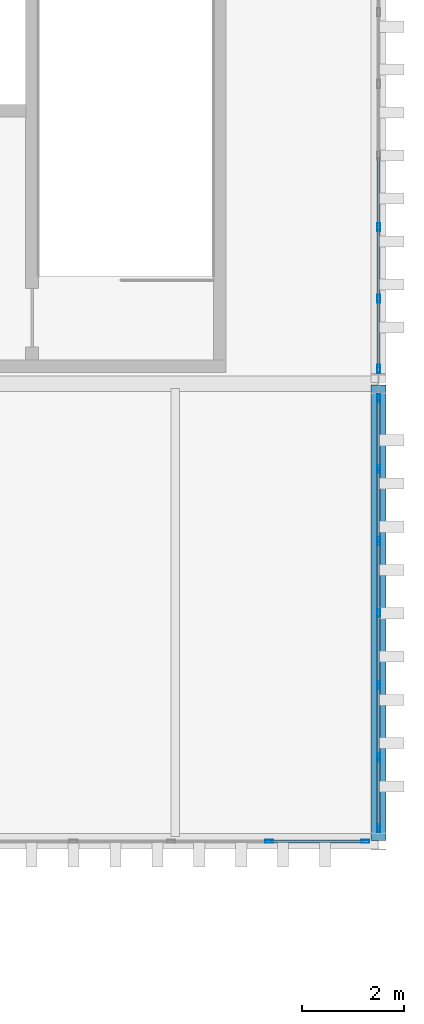
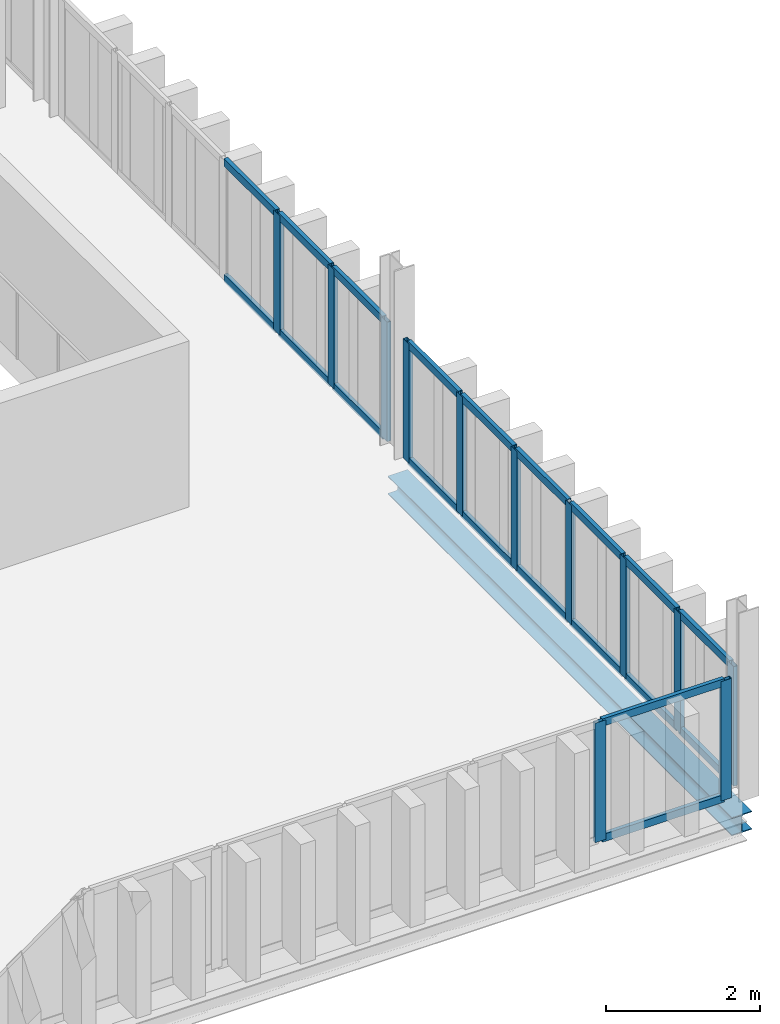
# One storey, part 21 of 58: 32 members, 1 beam, 3 elements without a shape of their own.
"""IFC4 building model written with IfcOpenShell, lengths in metres."""

from ifc_helpers import new_model, si_unit, direction, frame, origin, origin_2d, place, context, subcontext, project, spatial, hollow_rectangle, i_section, extrude, material, layer, layer_set, material_profile, profile_set, type_object, element, aggregate, save


model = new_model("IFC4")

# Units and contexts
model_context = context("Model", 3, precision=1e-05, world=origin(), true_north=direction((0.0, 1.0)))
body_context = subcontext(model_context, "Body", "Model", "MODEL_VIEW")
ifc_project = project(units=[si_unit("LENGTHUNIT", "METRE"), si_unit("AREAUNIT", "SQUARE_METRE"), si_unit("VOLUMEUNIT", "CUBIC_METRE"), si_unit("PLANEANGLEUNIT", "RADIAN"), si_unit("MASSUNIT", "GRAM", prefix="KILO")], contexts=[model_context])

# Site, building, storey
site_placement = place(None, origin())
site = spatial("IfcSite", under=ifc_project, at=site_placement, CompositionType="ELEMENT")
building_placement = place(site_placement, origin())
building = spatial("IfcBuilding", under=site, at=building_placement, Name="Barlavento Convention Centre", CompositionType="ELEMENT")
storey_placement = place(building_placement, frame((0.0, 0.0, 26.800048828125)))
storey = spatial("IfcBuildingStorey", under=building, at=storey_placement, Name="L05", CompositionType="ELEMENT", Elevation=26.800048828125)

# Curtain wall, members
ifc_material_1 = material(Name="Powder-coated aluminium and Low-E glass", Category="aluminium")
ifc_layer = layer(ifc_material_1, 0.18994140625)
ifc_layer_set = layer_set([ifc_layer], Name="ARC-CW-CONF-L05")
curtain_wall_type = type_object("IfcCurtainWallType", Name="ARC-CW-CONF-L05", PredefinedType="NOTDEFINED", material=ifc_layer_set)
curtain_wall_1_placement = place(storey_placement, origin())
curtain_wall_1 = element("IfcCurtainWall", 1, at=curtain_wall_1_placement, inside=storey, type_object=curtain_wall_type, Name="L05 unitised curtain wall CW10", PredefinedType="NOTDEFINED")
ifc_material_2 = material(Name="Powder-coated aluminium", Category="aluminium")
ifc_material_profile_1 = material_profile(ifc_material_2, hollow_rectangle(XDim=0.06005859375, YDim=0.159912109375, WallThickness=0.00390625, at=origin_2d()), Name="AL-MULL 60x160x4")
ifc_profile_set_1 = profile_set([ifc_material_profile_1], Name="Powder-coated aluminium")
member_type_1 = type_object("IfcMemberType", Name="ARC-CWM-60X160", PredefinedType="MULLION", material=ifc_profile_set_1)
member_1_placement = place(storey_placement, frame((192.0, 27.260009765625, 0.0), z_axis=(0.0, 0.0, 1.0), x_axis=(-1.0, 0.0, 0.0)))
member_1 = element("IfcMember", 2, at=member_1_placement, type_object=member_type_1, Name="CW10 mullion 1", PredefinedType="MULLION", context=body_context, shape_type="SweptSolid", body=[
    extrude(hollow_rectangle(XDim=0.06005859375, YDim=0.159912109375, WallThickness=0.00390625, at=origin_2d()), origin(), (0.0, 0.0, 1.0), 1.89990234375),
])
member_2_placement = place(storey_placement, frame((192.0, 28.6484375, 0.0), z_axis=(0.0, 0.0, 1.0), x_axis=(-1.0, 0.0, 0.0)))
member_2 = element("IfcMember", 3, at=member_2_placement, type_object=member_type_1, Name="CW10 mullion 2", PredefinedType="MULLION", context=body_context, shape_type="SweptSolid", body=[
    extrude(hollow_rectangle(XDim=0.06005859375, YDim=0.159912109375, WallThickness=0.00390625, at=origin_2d()), origin(), (0.0, 0.0, 1.0), 1.89990234375),
])
member_3_placement = place(storey_placement, frame((192.0, 30.066650390625, 0.0), z_axis=(0.0, 0.0, 1.0), x_axis=(-1.0, 0.0, 0.0)))
member_3 = element("IfcMember", 4, at=member_3_placement, type_object=member_type_1, Name="CW10 mullion 3", PredefinedType="MULLION", context=body_context, shape_type="SweptSolid", body=[
    extrude(hollow_rectangle(XDim=0.06005859375, YDim=0.159912109375, WallThickness=0.00390625, at=origin_2d()), origin(), (0.0, 0.0, 1.0), 1.89990234375),
])
member_4_placement = place(storey_placement, frame((192.0, 31.485107421875, 0.0), z_axis=(0.0, 0.0, 1.0), x_axis=(-1.0, 0.0, 0.0)))
member_4 = element("IfcMember", 5, at=member_4_placement, type_object=member_type_1, Name="CW10 mullion 4", PredefinedType="MULLION", context=body_context, shape_type="SweptSolid", body=[
    extrude(hollow_rectangle(XDim=0.06005859375, YDim=0.159912109375, WallThickness=0.00390625, at=origin_2d()), origin(), (0.0, 0.0, 1.0), 1.89990234375),
])
member_5_placement = place(storey_placement, frame((192.0, 32.9033203125, 0.0), z_axis=(0.0, 0.0, 1.0), x_axis=(-1.0, 0.0, 0.0)))
member_5 = element("IfcMember", 6, at=member_5_placement, type_object=member_type_1, Name="CW10 mullion 5", PredefinedType="MULLION", context=body_context, shape_type="SweptSolid", body=[
    extrude(hollow_rectangle(XDim=0.06005859375, YDim=0.159912109375, WallThickness=0.00390625, at=origin_2d()), origin(), (0.0, 0.0, 1.0), 1.89990234375),
])
member_6_placement = place(storey_placement, frame((192.0, 34.32177734375, 0.0), z_axis=(0.0, 0.0, 1.0), x_axis=(-1.0, 0.0, 0.0)))
member_6 = element("IfcMember", 7, at=member_6_placement, type_object=member_type_1, Name="CW10 mullion 6", PredefinedType="MULLION", context=body_context, shape_type="SweptSolid", body=[
    extrude(hollow_rectangle(XDim=0.06005859375, YDim=0.159912109375, WallThickness=0.00390625, at=origin_2d()), origin(), (0.0, 0.0, 1.0), 1.89990234375),
])
member_7_placement = place(storey_placement, frame((192.0, 35.7099609375, 0.0), z_axis=(0.0, 0.0, 1.0), x_axis=(-1.0, 0.0, 0.0)))
member_7 = element("IfcMember", 8, at=member_7_placement, type_object=member_type_1, Name="CW10 mullion 7", PredefinedType="MULLION", context=body_context, shape_type="SweptSolid", body=[
    extrude(hollow_rectangle(XDim=0.06005859375, YDim=0.159912109375, WallThickness=0.00390625, at=origin_2d()), origin(), (0.0, 0.0, 1.0), 1.89990234375),
])

curtain_wall_2_placement = place(storey_placement, origin())
curtain_wall_2 = element("IfcCurtainWall", 9, at=curtain_wall_2_placement, inside=storey, type_object=curtain_wall_type, Name="L05 unitised curtain wall CW10", PredefinedType="NOTDEFINED")
member_8_placement = place(storey_placement, frame((192.0, 36.2900390625, 0.0), z_axis=(0.0, 0.0, 1.0), x_axis=(-1.0, 0.0, 0.0)))
member_8 = element("IfcMember", 10, at=member_8_placement, type_object=member_type_1, Name="CW10 mullion 1", PredefinedType="MULLION", context=body_context, shape_type="SweptSolid", body=[
    extrude(hollow_rectangle(XDim=0.06005859375, YDim=0.159912109375, WallThickness=0.00390625, at=origin_2d()), origin(), (0.0, 0.0, 1.0), 1.89990234375),
])
member_9_placement = place(storey_placement, frame((192.0, 37.669189453125, 0.0), z_axis=(0.0, 0.0, 1.0), x_axis=(-1.0, 0.0, 0.0)))
member_9 = element("IfcMember", 11, at=member_9_placement, type_object=member_type_1, Name="CW10 mullion 2", PredefinedType="MULLION", context=body_context, shape_type="SweptSolid", body=[
    extrude(hollow_rectangle(XDim=0.06005859375, YDim=0.159912109375, WallThickness=0.00390625, at=origin_2d()), origin(), (0.0, 0.0, 1.0), 1.89990234375),
])
member_10_placement = place(storey_placement, frame((192.0, 39.078369140625, 0.0), z_axis=(0.0, 0.0, 1.0), x_axis=(-1.0, 0.0, 0.0)))
member_10 = element("IfcMember", 12, at=member_10_placement, type_object=member_type_1, Name="CW10 mullion 3", PredefinedType="MULLION", context=body_context, shape_type="SweptSolid", body=[
    extrude(hollow_rectangle(XDim=0.06005859375, YDim=0.159912109375, WallThickness=0.00390625, at=origin_2d()), origin(), (0.0, 0.0, 1.0), 1.89990234375),
])

curtain_wall_3_placement = place(storey_placement, origin())
curtain_wall_3 = element("IfcCurtainWall", 13, at=curtain_wall_3_placement, inside=storey, type_object=curtain_wall_type, Name="L05 unitised curtain wall CW10", PredefinedType="NOTDEFINED")
member_11_placement = place(storey_placement, frame((189.8466796875, 27.0, 0.0), z_axis=(0.0, 0.0, 1.0), x_axis=(0.0, 1.0, 0.0)))
member_11 = element("IfcMember", 14, at=member_11_placement, type_object=member_type_1, Name="CW10 mullion 6", PredefinedType="MULLION", context=body_context, shape_type="SweptSolid", body=[
    extrude(hollow_rectangle(XDim=0.06005859375, YDim=0.159912109375, WallThickness=0.00390625, at=origin_2d()), origin(), (0.0, 0.0, 1.0), 1.89990234375),
])
member_12_placement = place(storey_placement, frame((191.739990234375, 27.0, 0.0), z_axis=(0.0, 0.0, 1.0), x_axis=(0.0, 1.0, 0.0)))
member_12 = element("IfcMember", 15, at=member_12_placement, type_object=member_type_1, Name="CW10 mullion 7", PredefinedType="MULLION", context=body_context, shape_type="SweptSolid", body=[
    extrude(hollow_rectangle(XDim=0.06005859375, YDim=0.159912109375, WallThickness=0.00390625, at=origin_2d()), origin(), (0.0, 0.0, 1.0), 1.89990234375),
])

# Member
ifc_material_profile_2 = material_profile(ifc_material_2, hollow_rectangle(XDim=0.06005859375, YDim=0.1201171875, WallThickness=0.00390625, at=origin_2d()), Name="AL-TRAN 60x120x4")
ifc_profile_set_2 = profile_set([ifc_material_profile_2], Name="Powder-coated aluminium")
member_type_2 = type_object("IfcMemberType", Name="ARC-CWT-60X120", PredefinedType="USERDEFINED", material=ifc_profile_set_2)
member_13_placement = place(storey_placement, frame((192.0, 27.2900390625, 0.030029296875), z_axis=(0.0, 1.0, 0.0), x_axis=(-1.0, 0.0, 0.0)))
member_13 = element("IfcMember", 16, at=member_13_placement, type_object=member_type_2, Name="CW10 transom 1.1", ObjectType="TRANSOM", PredefinedType="USERDEFINED", context=body_context, shape_type="SweptSolid", body=[
    extrude(hollow_rectangle(XDim=0.06005859375, YDim=0.1201171875, WallThickness=0.00390625, at=origin_2d()), origin(), (0.0, 0.0, 1.0), 1.328369140625),
])

member_14_placement = place(storey_placement, frame((192.0, 27.2900390625, 1.869873046875), z_axis=(0.0, 1.0, 0.0), x_axis=(-1.0, 0.0, 0.0)))
member_14 = element("IfcMember", 17, at=member_14_placement, type_object=member_type_2, Name="CW10 transom 1.2", ObjectType="TRANSOM", PredefinedType="USERDEFINED", context=body_context, shape_type="SweptSolid", body=[
    extrude(hollow_rectangle(XDim=0.06005859375, YDim=0.1201171875, WallThickness=0.00390625, at=origin_2d()), origin(), (0.0, 0.0, 1.0), 1.328369140625),
])

member_15_placement = place(storey_placement, frame((192.0, 28.67822265625, 0.030029296875), z_axis=(0.0, 1.0, 0.0), x_axis=(-1.0, 0.0, 0.0)))
member_15 = element("IfcMember", 18, at=member_15_placement, type_object=member_type_2, Name="CW10 transom 2.1", ObjectType="TRANSOM", PredefinedType="USERDEFINED", context=body_context, shape_type="SweptSolid", body=[
    extrude(hollow_rectangle(XDim=0.06005859375, YDim=0.1201171875, WallThickness=0.00390625, at=origin_2d()), origin(), (0.0, 0.0, 1.0), 1.3583984375),
])

member_16_placement = place(storey_placement, frame((192.0, 28.67822265625, 1.869873046875), z_axis=(0.0, 1.0, 0.0), x_axis=(-1.0, 0.0, 0.0)))
member_16 = element("IfcMember", 19, at=member_16_placement, type_object=member_type_2, Name="CW10 transom 2.2", ObjectType="TRANSOM", PredefinedType="USERDEFINED", context=body_context, shape_type="SweptSolid", body=[
    extrude(hollow_rectangle(XDim=0.06005859375, YDim=0.1201171875, WallThickness=0.00390625, at=origin_2d()), origin(), (0.0, 0.0, 1.0), 1.3583984375),
])

member_17_placement = place(storey_placement, frame((192.0, 30.0966796875, 0.030029296875), z_axis=(0.0, 1.0, 0.0), x_axis=(-1.0, 0.0, 0.0)))
member_17 = element("IfcMember", 20, at=member_17_placement, type_object=member_type_2, Name="CW10 transom 3.1", ObjectType="TRANSOM", PredefinedType="USERDEFINED", context=body_context, shape_type="SweptSolid", body=[
    extrude(hollow_rectangle(XDim=0.06005859375, YDim=0.1201171875, WallThickness=0.00390625, at=origin_2d()), origin(), (0.0, 0.0, 1.0), 1.3583984375),
])

member_18_placement = place(storey_placement, frame((192.0, 30.0966796875, 1.869873046875), z_axis=(0.0, 1.0, 0.0), x_axis=(-1.0, 0.0, 0.0)))
member_18 = element("IfcMember", 21, at=member_18_placement, type_object=member_type_2, Name="CW10 transom 3.2", ObjectType="TRANSOM", PredefinedType="USERDEFINED", context=body_context, shape_type="SweptSolid", body=[
    extrude(hollow_rectangle(XDim=0.06005859375, YDim=0.1201171875, WallThickness=0.00390625, at=origin_2d()), origin(), (0.0, 0.0, 1.0), 1.3583984375),
])

member_19_placement = place(storey_placement, frame((192.0, 31.514892578125, 0.030029296875), z_axis=(0.0, 1.0, 0.0), x_axis=(-1.0, 0.0, 0.0)))
member_19 = element("IfcMember", 22, at=member_19_placement, type_object=member_type_2, Name="CW10 transom 4.1", ObjectType="TRANSOM", PredefinedType="USERDEFINED", context=body_context, shape_type="SweptSolid", body=[
    extrude(hollow_rectangle(XDim=0.06005859375, YDim=0.1201171875, WallThickness=0.00390625, at=origin_2d()), origin(), (0.0, 0.0, 1.0), 1.3583984375),
])

member_20_placement = place(storey_placement, frame((192.0, 31.514892578125, 1.869873046875), z_axis=(0.0, 1.0, 0.0), x_axis=(-1.0, 0.0, 0.0)))
member_20 = element("IfcMember", 23, at=member_20_placement, type_object=member_type_2, Name="CW10 transom 4.2", ObjectType="TRANSOM", PredefinedType="USERDEFINED", context=body_context, shape_type="SweptSolid", body=[
    extrude(hollow_rectangle(XDim=0.06005859375, YDim=0.1201171875, WallThickness=0.00390625, at=origin_2d()), origin(), (0.0, 0.0, 1.0), 1.3583984375),
])

member_21_placement = place(storey_placement, frame((192.0, 32.933349609375, 0.030029296875), z_axis=(0.0, 1.0, 0.0), x_axis=(-1.0, 0.0, 0.0)))
member_21 = element("IfcMember", 24, at=member_21_placement, type_object=member_type_2, Name="CW10 transom 5.1", ObjectType="TRANSOM", PredefinedType="USERDEFINED", context=body_context, shape_type="SweptSolid", body=[
    extrude(hollow_rectangle(XDim=0.06005859375, YDim=0.1201171875, WallThickness=0.00390625, at=origin_2d()), origin(), (0.0, 0.0, 1.0), 1.3583984375),
])

member_22_placement = place(storey_placement, frame((192.0, 32.933349609375, 1.869873046875), z_axis=(0.0, 1.0, 0.0), x_axis=(-1.0, 0.0, 0.0)))
member_22 = element("IfcMember", 25, at=member_22_placement, type_object=member_type_2, Name="CW10 transom 5.2", ObjectType="TRANSOM", PredefinedType="USERDEFINED", context=body_context, shape_type="SweptSolid", body=[
    extrude(hollow_rectangle(XDim=0.06005859375, YDim=0.1201171875, WallThickness=0.00390625, at=origin_2d()), origin(), (0.0, 0.0, 1.0), 1.3583984375),
])

member_23_placement = place(storey_placement, frame((192.0, 34.3515625, 0.030029296875), z_axis=(0.0, 1.0, 0.0), x_axis=(-1.0, 0.0, 0.0)))
member_23 = element("IfcMember", 26, at=member_23_placement, type_object=member_type_2, Name="CW10 transom 6.1", ObjectType="TRANSOM", PredefinedType="USERDEFINED", context=body_context, shape_type="SweptSolid", body=[
    extrude(hollow_rectangle(XDim=0.06005859375, YDim=0.1201171875, WallThickness=0.00390625, at=origin_2d()), origin(), (0.0, 0.0, 1.0), 1.328369140625),
])

member_24_placement = place(storey_placement, frame((192.0, 34.3515625, 1.869873046875), z_axis=(0.0, 1.0, 0.0), x_axis=(-1.0, 0.0, 0.0)))
member_24 = element("IfcMember", 27, at=member_24_placement, type_object=member_type_2, Name="CW10 transom 6.2", ObjectType="TRANSOM", PredefinedType="USERDEFINED", context=body_context, shape_type="SweptSolid", body=[
    extrude(hollow_rectangle(XDim=0.06005859375, YDim=0.1201171875, WallThickness=0.00390625, at=origin_2d()), origin(), (0.0, 0.0, 1.0), 1.328369140625),
])

aggregate(curtain_wall_1, [member_1, member_2, member_3, member_4, member_5, member_6, member_7, member_13, member_14, member_15, member_16, member_17, member_18, member_19, member_20, member_21, member_22, member_23, member_24])

member_25_placement = place(storey_placement, frame((192.0, 36.320068359375, 0.030029296875), z_axis=(0.0, 1.0, 0.0), x_axis=(-1.0, 0.0, 0.0)))
member_25 = element("IfcMember", 28, at=member_25_placement, type_object=member_type_2, Name="CW10 transom 1.1", ObjectType="TRANSOM", PredefinedType="USERDEFINED", context=body_context, shape_type="SweptSolid", body=[
    extrude(hollow_rectangle(XDim=0.06005859375, YDim=0.1201171875, WallThickness=0.00390625, at=origin_2d()), origin(), (0.0, 0.0, 1.0), 1.319091796875),
])

member_26_placement = place(storey_placement, frame((192.0, 36.320068359375, 1.869873046875), z_axis=(0.0, 1.0, 0.0), x_axis=(-1.0, 0.0, 0.0)))
member_26 = element("IfcMember", 29, at=member_26_placement, type_object=member_type_2, Name="CW10 transom 1.2", ObjectType="TRANSOM", PredefinedType="USERDEFINED", context=body_context, shape_type="SweptSolid", body=[
    extrude(hollow_rectangle(XDim=0.06005859375, YDim=0.1201171875, WallThickness=0.00390625, at=origin_2d()), origin(), (0.0, 0.0, 1.0), 1.319091796875),
])

member_27_placement = place(storey_placement, frame((192.0, 37.69921875, 0.030029296875), z_axis=(0.0, 1.0, 0.0), x_axis=(-1.0, 0.0, 0.0)))
member_27 = element("IfcMember", 30, at=member_27_placement, type_object=member_type_2, Name="CW10 transom 2.1", ObjectType="TRANSOM", PredefinedType="USERDEFINED", context=body_context, shape_type="SweptSolid", body=[
    extrude(hollow_rectangle(XDim=0.06005859375, YDim=0.1201171875, WallThickness=0.00390625, at=origin_2d()), origin(), (0.0, 0.0, 1.0), 1.34912109375),
])

member_28_placement = place(storey_placement, frame((192.0, 37.69921875, 1.869873046875), z_axis=(0.0, 1.0, 0.0), x_axis=(-1.0, 0.0, 0.0)))
member_28 = element("IfcMember", 31, at=member_28_placement, type_object=member_type_2, Name="CW10 transom 2.2", ObjectType="TRANSOM", PredefinedType="USERDEFINED", context=body_context, shape_type="SweptSolid", body=[
    extrude(hollow_rectangle(XDim=0.06005859375, YDim=0.1201171875, WallThickness=0.00390625, at=origin_2d()), origin(), (0.0, 0.0, 1.0), 1.34912109375),
])

member_29_placement = place(storey_placement, frame((192.0, 39.1083984375, 0.030029296875), z_axis=(0.0, 1.0, 0.0), x_axis=(-1.0, 0.0, 0.0)))
member_29 = element("IfcMember", 32, at=member_29_placement, type_object=member_type_2, Name="CW10 transom 3.1", ObjectType="TRANSOM", PredefinedType="USERDEFINED", context=body_context, shape_type="SweptSolid", body=[
    extrude(hollow_rectangle(XDim=0.06005859375, YDim=0.1201171875, WallThickness=0.00390625, at=origin_2d()), origin(), (0.0, 0.0, 1.0), 1.34912109375),
])

member_30_placement = place(storey_placement, frame((192.0, 39.1083984375, 1.869873046875), z_axis=(0.0, 1.0, 0.0), x_axis=(-1.0, 0.0, 0.0)))
member_30 = element("IfcMember", 33, at=member_30_placement, type_object=member_type_2, Name="CW10 transom 3.2", ObjectType="TRANSOM", PredefinedType="USERDEFINED", context=body_context, shape_type="SweptSolid", body=[
    extrude(hollow_rectangle(XDim=0.06005859375, YDim=0.1201171875, WallThickness=0.00390625, at=origin_2d()), origin(), (0.0, 0.0, 1.0), 1.34912109375),
])

aggregate(curtain_wall_2, [member_8, member_9, member_10, member_25, member_26, member_27, member_28, member_29, member_30])

member_31_placement = place(storey_placement, frame((189.876708984375, 27.0, 0.030029296875), z_axis=(1.0, 0.0, 0.0), x_axis=(0.0, 1.0, 0.0)))
member_31 = element("IfcMember", 34, at=member_31_placement, type_object=member_type_2, Name="CW10 transom 6.1", ObjectType="TRANSOM", PredefinedType="USERDEFINED", context=body_context, shape_type="SweptSolid", body=[
    extrude(hollow_rectangle(XDim=0.06005859375, YDim=0.1201171875, WallThickness=0.00390625, at=origin_2d()), origin(), (0.0, 0.0, 1.0), 1.833251953125),
])

member_32_placement = place(storey_placement, frame((189.876708984375, 27.0, 1.869873046875), z_axis=(1.0, 0.0, 0.0), x_axis=(0.0, 1.0, 0.0)))
member_32 = element("IfcMember", 35, at=member_32_placement, type_object=member_type_2, Name="CW10 transom 6.2", ObjectType="TRANSOM", PredefinedType="USERDEFINED", context=body_context, shape_type="SweptSolid", body=[
    extrude(hollow_rectangle(XDim=0.06005859375, YDim=0.1201171875, WallThickness=0.00390625, at=origin_2d()), origin(), (0.0, 0.0, 1.0), 1.833251953125),
])

aggregate(curtain_wall_3, [member_11, member_12, member_31, member_32])

# Beam
ifc_material_3 = material(Name="Steel S355", Category="steel")
ifc_material_profile_3 = material_profile(ifc_material_3, i_section(OverallWidth=0.300048828125, OverallDepth=0.2900390625, WebThickness=0.008544921875, FlangeThickness=0.013916015625, FilletRadius=0.027099609375, at=origin_2d()), Name="HEA 300")
ifc_profile_set_3 = profile_set([ifc_material_profile_3], Name="Steel S355")
beam_type = type_object("IfcBeamType", Name="STR-BM-SPN-HEA300", PredefinedType="SPANDREL", material=ifc_profile_set_3)
beam_placement = place(storey_placement, frame((192.0, 27.02001953125, -0.505126953125), z_axis=(0.0, 1.0, 0.0), x_axis=(-1.0, 0.0, 0.0)))
element("IfcBeam", 36, at=beam_placement, inside=storey, type_object=beam_type, Name="L05 grid girder SP02", PredefinedType="SPANDREL", context=body_context, shape_type="SweptSolid", body=[
    extrude(i_section(OverallWidth=0.300048828125, OverallDepth=0.2900390625, WebThickness=0.008544921875, FlangeThickness=0.013916015625, FilletRadius=0.027099609375, at=origin_2d()), origin(), (0.0, 0.0, 1.0), 8.9599609375),
])

save(model, "model.ifc")
